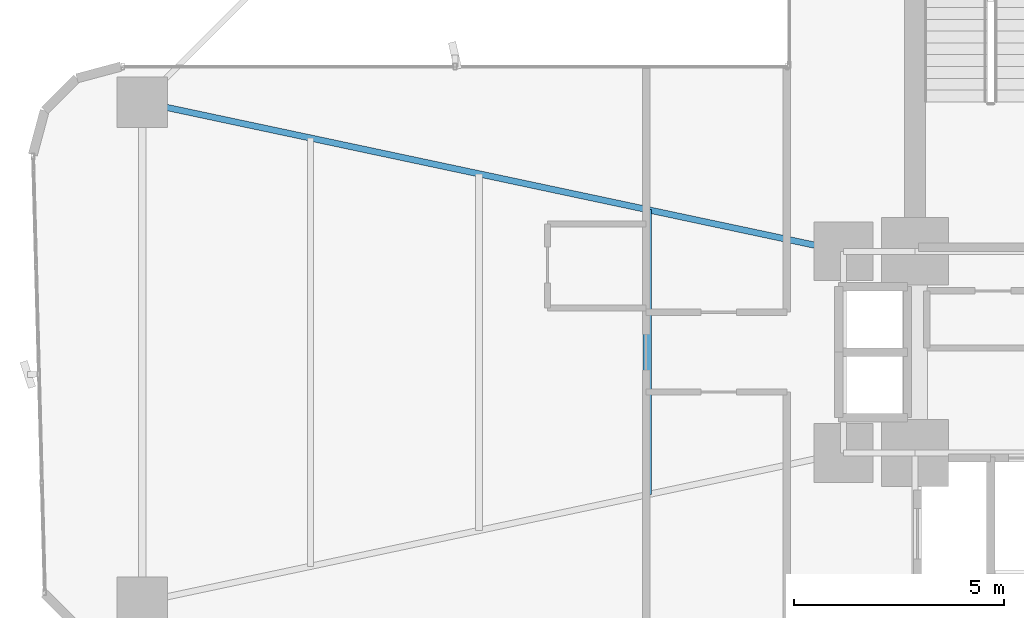
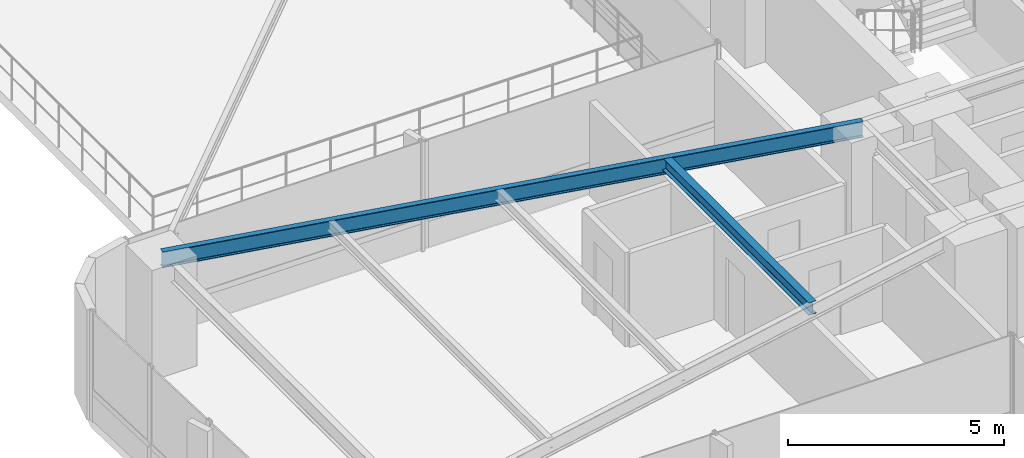
# One storey, part 8 of 27: 2 beams.
"""IFC4 building model written with IfcOpenShell, lengths in metres."""

import ifcopenshell
import ifcopenshell.guid

model = None  # the IFC model being written
_history = None  # IfcOwnerHistory: only IFC2X3 demands one
_inside = {}  # id of a spatial element -> (the spatial element, [elements in it])
_under = {}  # id of a project, library or spatial element -> (it, [spatial elements below it])
_declared = {}  # id of a project -> (the project, [libraries it declares])
_typed = {}  # id of a type object -> (the type object, [elements of that type])
_made_of = {}  # id of a material, layer set ... -> (it, [elements and type objects made of it])


def new_model(schema):
    """Start an empty IFC model of exactly this schema.

    Asked for "IFC4X3", IfcOpenShell would pick the latest addendum, in which some entities
    have other attributes; the version numbers below select the first issue.
    IFC2X3 requires an IfcOwnerHistory on every rooted entity: one is made here for all.
    """
    global model, _history
    if schema == "IFC4X3":
        model = ifcopenshell.file(schema_version=(4, 3, 0, 0))
    else:
        model = ifcopenshell.file(schema=schema)
    _inside.clear()
    _under.clear()
    _declared.clear()
    _typed.clear()
    _made_of.clear()
    _history = None
    if model.schema == "IFC2X3":
        org = make("IfcOrganization", Name="unknown")
        user = make(
            "IfcPersonAndOrganization",
            ThePerson=make("IfcPerson", FamilyName="unknown"),
            TheOrganization=org,
        )
        app = make(
            "IfcApplication",
            ApplicationDeveloper=org,
            Version="unknown",
            ApplicationFullName="unknown",
            ApplicationIdentifier="unknown",
        )
        _history = make(
            "IfcOwnerHistory",
            OwningUser=user,
            OwningApplication=app,
            ChangeAction="ADDED",
            CreationDate=0,
        )
    return model


def make(cls, **values):
    """One entity of the class cls with the attributes given. An attribute that is None is left unset."""
    return model.create_entity(
        cls, **{name: value for name, value in values.items() if value is not None}
    )


def rooted(cls, **values):
    """An entity with a GlobalId (a new one), such as an element, a storey or a relation."""
    return make(cls, GlobalId=ifcopenshell.guid.new(), OwnerHistory=_history, **values)


def si_unit(unit_type, name, prefix=None):
    """IfcSIUnit, for example si_unit("LENGTHUNIT", "METRE", prefix="MILLI")."""
    return make("IfcSIUnit", UnitType=unit_type, Prefix=prefix, Name=name)


def assignment(units):
    """IfcUnitAssignment: the units of a project."""
    return None if units is None else make("IfcUnitAssignment", Units=units)


def point(xyz):
    """IfcCartesianPoint."""
    return None if xyz is None else make("IfcCartesianPoint", Coordinates=xyz)


def direction(xyz):
    """IfcDirection."""
    return None if xyz is None else make("IfcDirection", DirectionRatios=xyz)


def frame(location, z_axis=None, x_axis=None):
    """IfcAxis2Placement3D, a coordinate frame: its origin and axes. An axis left out is left unset."""
    return make(
        "IfcAxis2Placement3D",
        Location=point(location),
        Axis=direction(z_axis),
        RefDirection=direction(x_axis),
    )


def frame_2d(location, x_axis=None):
    """IfcAxis2Placement2D, a coordinate frame in the plane: its origin and x axis."""
    return make(
        "IfcAxis2Placement2D", Location=point(location), RefDirection=direction(x_axis)
    )


def origin():
    """The frame at (0, 0, 0) with its axes left unset."""
    return frame((0.0, 0.0, 0.0))


def origin_2d():
    """The frame at (0, 0) in the plane with its x axis left unset."""
    return frame_2d((0.0, 0.0))


def place(relative_to, where):
    """IfcLocalPlacement: puts the frame where relative to a parent placement (None: the world)."""
    return make(
        "IfcLocalPlacement", PlacementRelTo=relative_to, RelativePlacement=where
    )


def context(
    kind, dimensions, precision=None, world=None, true_north=None, identifier=None
):
    """IfcGeometricRepresentationContext, for example the 3D "Model" context."""
    return make(
        "IfcGeometricRepresentationContext",
        ContextIdentifier=identifier,
        ContextType=kind,
        CoordinateSpaceDimension=dimensions,
        Precision=precision,
        WorldCoordinateSystem=world,
        TrueNorth=true_north,
    )


def subcontext(parent, identifier, kind, view, scale=None):
    """IfcGeometricRepresentationSubContext, for example "Body" below "Model"."""
    return make(
        "IfcGeometricRepresentationSubContext",
        ContextIdentifier=identifier,
        ContextType=kind,
        ParentContext=parent,
        TargetScale=scale,
        TargetView=view,
    )


def project(units=None, contexts=None):
    """IfcProject with its units and contexts."""
    return rooted(
        "IfcProject",
        Name="project",
        RepresentationContexts=contexts,
        UnitsInContext=assignment(units),
    )


def spatial(cls, under=None, at=None, **own):
    """A site, building, storey or space (cls), placed at a placement, below another one or the project."""
    s = rooted(cls, ObjectPlacement=at, **own)
    if under is not None:
        _under.setdefault(under.id(), (under, []))[1].append(s)
    return s


def profile(cls, at=None, kind="AREA", **sizes):
    """A parametric profile (cls). Its sizes go by their IFC names, for example OverallWidth=200.0."""
    return make(cls, ProfileType=kind, Position=at, **sizes)


def i_section(**sizes):
    """IfcIShapeProfileDef."""
    return profile("IfcIShapeProfileDef", **sizes)


def extrude(swept, where, along, depth):
    """IfcExtrudedAreaSolid: the profile swept, set in the frame where, extruded along a direction by depth."""
    return make(
        "IfcExtrudedAreaSolid",
        SweptArea=swept,
        Position=where,
        ExtrudedDirection=direction(along),
        Depth=depth,
    )


def shape(context_of_items, identifier, shape_type, items):
    """IfcShapeRepresentation: the items that make up one representation, for example the "Body"."""
    return make(
        "IfcShapeRepresentation",
        ContextOfItems=context_of_items,
        RepresentationIdentifier=identifier,
        RepresentationType=shape_type,
        Items=items,
    )


def source(mapping_origin, context_of_items, identifier, shape_type, items):
    """IfcRepresentationMap: a shape defined once, which mapped items show again and again."""
    return make(
        "IfcRepresentationMap",
        MappingOrigin=mapping_origin,
        MappedRepresentation=shape(context_of_items, identifier, shape_type, items),
    )


def transform(
    local_origin,
    x_axis=None,
    y_axis=None,
    z_axis=None,
    scale=None,
    scale2=None,
    scale3=None,
    uniform=True,
):
    """IfcCartesianTransformationOperator3D, or its non-uniform kind. x_axis, y_axis, z_axis: its Axis1, 2, 3."""
    if uniform:
        return make(
            "IfcCartesianTransformationOperator3D",
            Axis1=direction(x_axis),
            Axis2=direction(y_axis),
            LocalOrigin=point(local_origin),
            Scale=scale,
            Axis3=direction(z_axis),
        )
    return make(
        "IfcCartesianTransformationOperator3DnonUniform",
        Axis1=direction(x_axis),
        Axis2=direction(y_axis),
        LocalOrigin=point(local_origin),
        Scale=scale,
        Axis3=direction(z_axis),
        Scale2=scale2,
        Scale3=scale3,
    )


def mapped(mapping_source, mapping_target):
    """IfcMappedItem: shows the shape of a source again, moved by a transform."""
    return make(
        "IfcMappedItem", MappingSource=mapping_source, MappingTarget=mapping_target
    )


def material(Name=None, Category=None):
    """IfcMaterial."""
    return make("IfcMaterial", Name=Name, Category=Category)


def material_profile(
    of_material, cross_section, Name=None, Category=None, Priority=None
):
    """IfcMaterialProfile: a cross section and its material."""
    return make(
        "IfcMaterialProfile",
        Name=Name,
        Material=of_material,
        Profile=cross_section,
        Priority=Priority,
        Category=Category,
    )


def profile_set(profiles, Name=None, composite=None):
    """IfcMaterialProfileSet."""
    return make(
        "IfcMaterialProfileSet",
        Name=Name,
        MaterialProfiles=profiles,
        CompositeProfile=composite,
    )


def made_of(thing, what):
    """Note that an element or type object is made of a material, layer set ...; save() writes the relation."""
    if what is not None:
        _made_of.setdefault(what.id(), (what, []))[1].append(thing)
    return thing


def type_object(cls, material=None, **own):
    """A type object (cls), such as IfcWallType, which elements share."""
    return made_of(rooted(cls, **own), material)


def element(
    cls,
    number,
    at=None,
    inside=None,
    cuts=None,
    type_object=None,
    material=None,
    context=None,
    identifier="Body",
    shape_type=None,
    held_by="IfcProductDefinitionShape",
    body=None,
    shapes=None,
    **own,
):
    """One element of the class cls, such as IfcWall. Its Tag is "e" and its number.

    at: its placement. inside: the storey or other place that contains it. cuts: it is an
    opening in that element (IfcRelVoidsElement). A single representation is given by context,
    identifier, shape_type and body (its items); several are given by shapes. held_by: the class
    of the entity that holds the representations. save() writes the other relations.
    """
    e = rooted(cls, Tag="e%d" % number, ObjectPlacement=at, **own)
    if body is not None:
        shapes = [shape(context, identifier, shape_type, body)]
    if shapes is not None:
        e.Representation = make(held_by, Representations=shapes)
    if inside is not None:
        _inside.setdefault(inside.id(), (inside, []))[1].append(e)
    if cuts is not None:
        rooted(
            "IfcRelVoidsElement", RelatingBuildingElement=cuts, RelatedOpeningElement=e
        )
    if type_object is not None:
        _typed.setdefault(type_object.id(), (type_object, []))[1].append(e)
    return made_of(e, material)


def aggregate(whole, parts):
    """IfcRelAggregates: a whole, such as a stair, and the parts it consists of."""
    return rooted("IfcRelAggregates", RelatingObject=whole, RelatedObjects=parts)


def save(model, path):
    """Write the relations noted so far, then the file.

    IfcRelAggregates (storeys below a building ...), IfcRelContainedInSpatialStructure (elements
    in a storey), IfcRelDefinesByType, IfcRelAssociatesMaterial and IfcRelDeclares: one each for
    every whole, place, type object, material and project.
    """
    for whole, parts in _under.values():
        aggregate(whole, parts)
    for where, things in _inside.values():
        rooted(
            "IfcRelContainedInSpatialStructure",
            RelatedElements=things,
            RelatingStructure=where,
        )
    for kind, things in _typed.values():
        rooted("IfcRelDefinesByType", RelatedObjects=things, RelatingType=kind)
    for what, things in _made_of.values():
        rooted("IfcRelAssociatesMaterial", RelatedObjects=things, RelatingMaterial=what)
    for by, libraries in _declared.values():
        rooted("IfcRelDeclares", RelatingContext=by, RelatedDefinitions=libraries)
    model.write(path)


model = new_model("IFC4")

# Units and contexts
model_context = context("Model", 3, precision=1e-05, world=origin(), true_north=direction((0.0, 1.0)))
body_context = subcontext(model_context, "Body", "Model", "MODEL_VIEW")
ifc_project = project(units=[si_unit("LENGTHUNIT", "METRE"), si_unit("AREAUNIT", "SQUARE_METRE"), si_unit("VOLUMEUNIT", "CUBIC_METRE"), si_unit("PLANEANGLEUNIT", "RADIAN"), si_unit("MASSUNIT", "GRAM", prefix="KILO")], contexts=[model_context])

# Site, building, storey
site_placement = place(None, origin())
site = spatial("IfcSite", under=ifc_project, at=site_placement, CompositionType="ELEMENT")
building_placement = place(site_placement, origin())
building = spatial("IfcBuilding", under=site, at=building_placement, Name="Sahyath Konkavel Grand Hotel", CompositionType="ELEMENT")
storey_placement = place(building_placement, frame((0.0, 0.0, 23.10009765625)))
storey = spatial("IfcBuildingStorey", under=building, at=storey_placement, Name="L05", CompositionType="ELEMENT", Elevation=23.10009765625)

# Beams
ifc_material = material(Name="Steel E350", Category="steel")
ifc_material_profile_1 = material_profile(ifc_material, i_section(OverallWidth=0.14990234375, OverallDepth=0.449951171875, WebThickness=0.009521484375, FlangeThickness=0.017333984375, FilletRadius=0.014892578125, at=origin_2d()), Name="ISMB 450")
ifc_profile_set_1 = profile_set([ifc_material_profile_1], Name="Steel E350")
beam_type_1 = type_object("IfcBeamType", Name="BM-ISMB450", PredefinedType="BEAM", material=ifc_profile_set_1)
shared_shape_1 = source(origin(), body_context, "Body", "SweptSolid", [
    extrude(i_section(OverallWidth=0.14990234375, OverallDepth=0.449951171875, WebThickness=0.009521484375, FlangeThickness=0.017333984375, FilletRadius=0.014892578125, at=origin_2d()), origin(), (0.0, 0.0, 1.0), 17.072998046875),
])
beam_1_placement = place(storey_placement, frame((-5.5, 2.39990234375, 2.885009765625), z_axis=(-0.978143257225, 0.20793212437, 0.0), x_axis=(-0.20793212437, -0.978143257225, 0.0)))
element("IfcBeam", 1, at=beam_1_placement, inside=storey, type_object=beam_type_1, Name="L05 Cruciform Radial Girder WA", PredefinedType="BEAM", context=body_context, shape_type="MappedRepresentation", body=[
    mapped(shared_shape_1, transform((0.0, 0.0, 0.0), scale=1.0)),
])
ifc_material_profile_2 = material_profile(ifc_material, i_section(OverallWidth=0.199951171875, OverallDepth=0.35009765625, WebThickness=0.008056640625, FlangeThickness=0.011474609375, FilletRadius=0.013916015625, at=origin_2d()), Name="ISWB 350")
ifc_profile_set_2 = profile_set([ifc_material_profile_2], Name="Steel E350")
beam_type_2 = type_object("IfcBeamType", Name="BM-ISWB350", PredefinedType="BEAM", material=ifc_profile_set_2)
shared_shape_2 = source(origin(), body_context, "Body", "SweptSolid", [
    extrude(i_section(OverallWidth=0.199951171875, OverallDepth=0.35009765625, WebThickness=0.008056640625, FlangeThickness=0.011474609375, FilletRadius=0.013916015625, at=origin_2d()), origin(), (0.0, 0.0, 1.0), 6.7880859375),
])
beam_2_placement = place(storey_placement, frame((-10.176025390625, 3.39404296875, 2.934814453125), z_axis=(0.0, -1.0, 0.0), x_axis=(1.0, 0.0, 0.0)))
element("IfcBeam", 2, at=beam_2_placement, inside=storey, type_object=beam_type_2, Name="L05 Secondary Floor Beam W-1", PredefinedType="BEAM", context=body_context, shape_type="MappedRepresentation", body=[
    mapped(shared_shape_2, transform((0.0, 0.0, 0.0), scale=1.0)),
])

save(model, "model.ifc")
